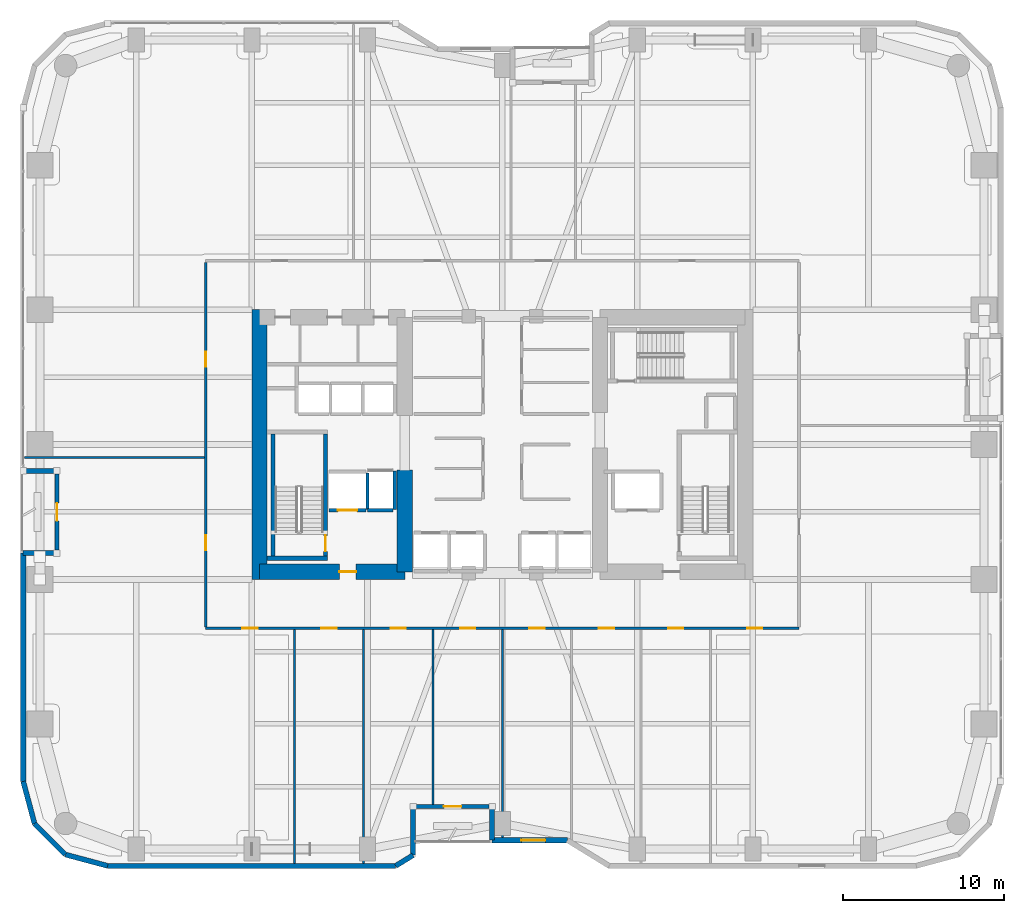
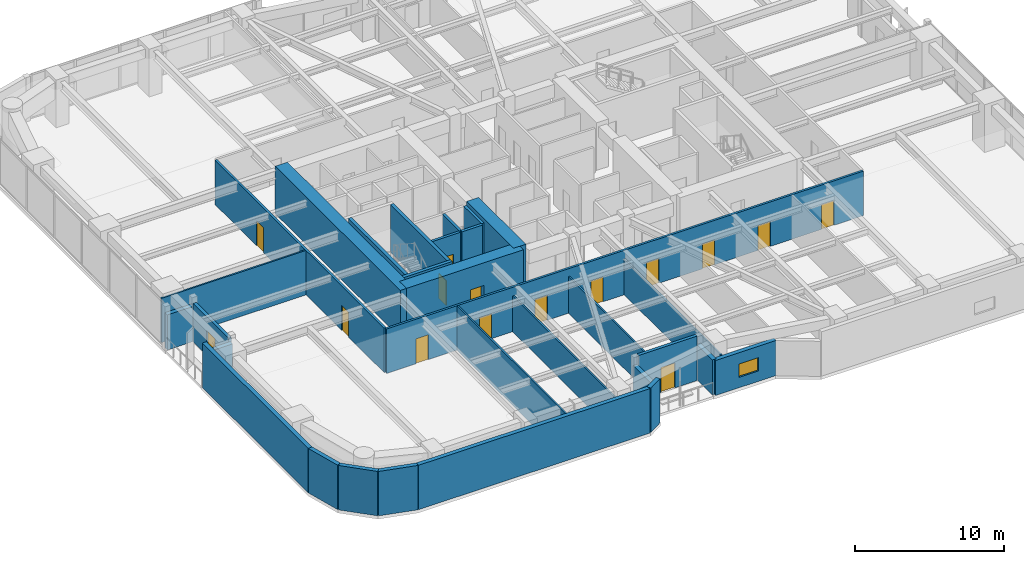
# One storey, part 22 of 28: 30 walls, 15 doors, 1 window, 16 openings.
"""IFC4 building model written with IfcOpenShell, lengths in metres."""

from ifc_helpers import new_model, si_unit, direction, frame, frame_2d, origin, place, context, subcontext, project, spatial, rectangle, extrude, material, layer, layer_set, type_object, element, fill, save


model = new_model("IFC4")

# Units and contexts
model_context = context("Model", 3, precision=1e-05, world=origin(), true_north=direction((0.0, 1.0)))
body_context = subcontext(model_context, "Body", "Model", "MODEL_VIEW")
ifc_project = project(units=[si_unit("LENGTHUNIT", "METRE"), si_unit("AREAUNIT", "SQUARE_METRE"), si_unit("VOLUMEUNIT", "CUBIC_METRE"), si_unit("PLANEANGLEUNIT", "RADIAN"), si_unit("MASSUNIT", "GRAM", prefix="KILO")], contexts=[model_context])

# Site, building, storey
site_placement = place(None, origin())
site = spatial("IfcSite", under=ifc_project, at=site_placement, CompositionType="ELEMENT")
building_placement = place(site_placement, origin())
building = spatial("IfcBuilding", under=site, at=building_placement, Name="Kiyonajd Concourse Tower", CompositionType="ELEMENT")
storey_placement = place(building_placement, frame((0.0, 0.0, 64.5)))
storey = spatial("IfcBuildingStorey", under=building, at=storey_placement, Name="L17", CompositionType="ELEMENT", Elevation=64.5)

# Walls
ifc_material_1 = material(Name="Concrete C80/95", Category="concrete")
ifc_layer_1 = layer(ifc_material_1, 0.949951171875)
ifc_layer_set_1 = layer_set([ifc_layer_1], Name="Concrete C80/95")
wall_type_1 = type_object("IfcWallType", Name="WL-CORE-950", PredefinedType="SHEAR", material=ifc_layer_set_1)
wall_1_placement = place(storey_placement, frame((32.875, 27.60009765625, 0.0), z_axis=(0.0, 0.0, 1.0), x_axis=(0.0, 1.0, 0.0)))
element("IfcWall", 1, at=wall_1_placement, inside=storey, type_object=wall_type_1, Name="L17 West Core Outer Shear Wall", PredefinedType="SHEAR", context=body_context, shape_type="SweptSolid", body=[
    extrude(rectangle(XDim=16.7998046875, YDim=0.949951171875, at=frame_2d((8.39990234375, 0.0))), origin(), (0.0, 0.0, 1.0), 3.89990234375),
])
wall_2_placement = place(storey_placement, frame((41.925048828125, 28.074951171875, 0.0), z_axis=(0.0, 0.0, 1.0), x_axis=(0.0, 1.0, 0.0)))
element("IfcWall", 2, at=wall_2_placement, inside=storey, type_object=wall_type_1, Name="L17 West Core Inner South Shear Wall", PredefinedType="SHEAR", context=body_context, shape_type="SweptSolid", body=[
    extrude(rectangle(XDim=6.324951171875, YDim=0.949951171875, at=frame_2d((3.16259765625, 0.0))), origin(), (0.0, 0.0, 1.0), 3.89990234375),
])

# Wall, opening, door
wall_3_placement = place(storey_placement, frame((32.875, 28.074951171875, 0.0), z_axis=(0.0, 0.0, 1.0), x_axis=(1.0, 0.0, 0.0)))
wall_3 = element("IfcWall", 3, at=wall_3_placement, inside=storey, type_object=wall_type_1, Name="L17 West Core South Shear Wall", PredefinedType="SHEAR", context=body_context, shape_type="SweptSolid", body=[
    extrude(rectangle(XDim=9.050048828125, YDim=0.949951171875, at=frame_2d((4.52490234375, 0.0))), origin(), (0.0, 0.0, 1.0), 3.89990234375),
])
opening_1_placement = place(wall_3_placement, frame((4.97509765625, 0.0, 0.0)))
opening_1 = element("IfcOpeningElement", 4, at=opening_1_placement, cuts=wall_3, Name="Opening DF5", PredefinedType="OPENING", context=body_context, shape_type="SweptSolid", body=[
    extrude(rectangle(XDim=1.050048828125, YDim=2.0400390625, at=frame_2d((0.52490234375, 1.02001953125))), frame((0.0, 0.48486328125, 0.0), z_axis=(0.0, -1.0, 0.0), x_axis=(1.0, 0.0, 0.0)), (0.0, 0.0, 1.0), 0.969970703125),
])
ifc_material_2 = material(Name="Brushed Stainless Steel Cab Assembly", Category="steel")
door_type_1 = type_object("IfcDoorType", Name="DR-FD45-1050", OperationType="NOTDEFINED", PredefinedType="DOOR", material=ifc_material_2)
door_1_placement = place(opening_1_placement, origin())
door_1 = element("IfcDoor", 5, at=door_1_placement, inside=storey, type_object=door_type_1, Name="L17 Firefighting Lift Lobby W Smoke Door", OperationType="SINGLE_SWING_LEFT", OverallHeight=2.0400390625, OverallWidth=1.050048828125, PredefinedType="DOOR", context=body_context, shape_type="SweptSolid", body=[
    extrude(rectangle(XDim=1.050048828125, YDim=2.0400390625, at=frame_2d((0.52490234375, 1.02001953125))), frame((0.0, 0.02490234375, 0.0), z_axis=(0.0, -1.0, 0.0), x_axis=(1.0, 0.0, 0.0)), (0.0, 0.0, 1.0), 0.050048828125),
])
fill(opening_1, door_1)

# Walls
ifc_material_3 = material(Name="Precast concrete C50/60", Category="concrete")
ifc_layer_2 = layer(ifc_material_3, 0.320068359375)
ifc_layer_set_2 = layer_set([ifc_layer_2], Name="Precast concrete C50/60")
wall_type_2 = type_object("IfcWallType", Name="WL-EXT-320", PredefinedType="SOLIDWALL", material=ifc_layer_set_2)
wall_4_placement = place(storey_placement, frame((18.866455078125, 12.3828125, 0.0), z_axis=(0.0, 0.0, 1.0), x_axis=(-0.25869736047, 0.965958423373, 0.0)))
element("IfcWall", 6, at=wall_4_placement, inside=storey, type_object=wall_type_2, Name="L17 Exterior Concrete Frame Wall 00", PredefinedType="SOLIDWALL", context=body_context, shape_type="SweptSolid", body=[
    extrude(rectangle(XDim=2.731201171875, YDim=0.320068359375, at=frame_2d((1.36572265625, 0.0))), origin(), (0.0, 0.0, 1.0), 3.639892578125),
])
wall_5_placement = place(storey_placement, frame((18.159912109375, 15.02099609375, 0.0), z_axis=(0.0, 0.0, 1.0), x_axis=(0.0, 1.0, 0.0)))
element("IfcWall", 7, at=wall_5_placement, inside=storey, type_object=wall_type_2, Name="L17 Exterior Concrete Frame Wall 01", PredefinedType="SOLIDWALL", context=body_context, shape_type="SweptSolid", body=[
    extrude(rectangle(XDim=14.218994140625, YDim=0.320068359375, at=frame_2d((7.109375, 0.0))), origin(), (0.0, 0.0, 1.0), 3.639892578125),
])
for number, where, z_axis, x_axis, name in (
    (8, (18.159912109375, 29.239990234375, 0.0), (0.0, 0.0, 1.0), (1.0, 0.0, 0.0), "L17 Exterior Concrete Frame Wall 02"),
    (9, (20.260009765625, 34.360107421875, 0.0), (0.0, 0.0, 1.0), (-1.0, 0.0, 0.0), "L17 Exterior Concrete Frame Wall 04"),
):
    element("IfcWall", number, at=place(storey_placement, frame(where, z_axis=z_axis, x_axis=x_axis)), inside=storey, type_object=wall_type_2, Name=name, PredefinedType="SOLIDWALL", context=body_context, shape_type="SweptSolid", body=[
        extrude(rectangle(XDim=2.10009765625, YDim=0.320068359375, at=frame_2d((1.050048828125, 0.0))), origin(), (0.0, 0.0, 1.0), 2.875),
    ])

# Wall, opening, window
wall_6_placement = place(storey_placement, frame((52.04541015625, 11.360107421875, 0.0), z_axis=(0.0, 0.0, 1.0), x_axis=(-1.0, 0.0, 0.0)))
wall_6 = element("IfcWall", 10, at=wall_6_placement, inside=storey, type_object=wall_type_2, Name="L17 Exterior Concrete Frame Wall 30", PredefinedType="SOLIDWALL", context=body_context, shape_type="SweptSolid", body=[
    extrude(rectangle(XDim=4.685302734375, YDim=0.320068359375, at=frame_2d((2.3427734375, 0.0))), origin(), (0.0, 0.0, 1.0), 2.875),
])
opening_2_placement = place(wall_6_placement, frame((1.367919921875, 0.0, 0.85009765625)))
opening_2 = element("IfcOpeningElement", 11, at=opening_2_placement, cuts=wall_6, Name="Opening WN2", PredefinedType="OPENING", context=body_context, shape_type="SweptSolid", body=[
    extrude(rectangle(XDim=1.5, YDim=1.10009765625, at=frame_2d((0.75, 0.550048828125))), frame((0.0, 0.169921875, 0.0), z_axis=(0.0, -1.0, 0.0), x_axis=(1.0, 0.0, 0.0)), (0.0, 0.0, 1.0), 0.340087890625),
])
ifc_material_4 = material(Name="Double Low-E Insulated Glass", Category="glass")
window_type = type_object("IfcWindowType", Name="WN-VIS-1500x1100", PartitioningType="SINGLE_PANEL", PredefinedType="WINDOW", material=ifc_material_4)
window_placement = place(opening_2_placement, origin())
window = element("IfcWindow", 12, at=window_placement, inside=storey, type_object=window_type, Name="L17 Modular Facade Vision Window 30", OverallHeight=1.10009765625, OverallWidth=1.5, PartitioningType="SINGLE_PANEL", PredefinedType="WINDOW", context=body_context, shape_type="SweptSolid", body=[
    extrude(rectangle(XDim=1.5, YDim=1.10009765625, at=frame_2d((0.75, 0.550048828125))), frame((0.0, 0.030029296875, 0.0), z_axis=(0.0, -1.0, 0.0), x_axis=(1.0, 0.0, 0.0)), (0.0, 0.0, 1.0), 0.06005859375),
])
fill(opening_2, window)

# Walls
wall_7_placement = place(storey_placement, frame((47.360107421875, 11.360107421875, 0.0), z_axis=(0.0, 0.0, 1.0), x_axis=(0.0, 1.0, 0.0)))
element("IfcWall", 13, at=wall_7_placement, inside=storey, type_object=wall_type_2, Name="L17 Exterior Concrete Frame Wall 31", PredefinedType="SOLIDWALL", context=body_context, shape_type="SweptSolid", body=[
    extrude(rectangle(XDim=2.099853515625, YDim=0.320068359375, at=frame_2d((1.0498046875, 0.0))), origin(), (0.0, 0.0, 1.0), 2.875),
])
wall_8_placement = place(storey_placement, frame((42.43994140625, 13.4599609375, 0.0), z_axis=(0.0, 0.0, 1.0), x_axis=(0.0, -1.0, 0.0)))
element("IfcWall", 14, at=wall_8_placement, inside=storey, type_object=wall_type_2, Name="L17 Exterior Concrete Frame Wall 33", PredefinedType="SOLIDWALL", context=body_context, shape_type="SweptSolid", body=[
    extrude(rectangle(XDim=3.032470703125, YDim=0.320068359375, at=frame_2d((1.51611328125, 0.0))), origin(), (0.0, 0.0, 1.0), 2.875),
])
wall_9_placement = place(storey_placement, frame((42.43994140625, 10.427490234375, 0.0), z_axis=(0.0, 0.0, 1.0), x_axis=(-0.851776724646, -0.523904964045, 0.0)))
element("IfcWall", 15, at=wall_9_placement, inside=storey, type_object=wall_type_2, Name="L17 Exterior Concrete Frame Wall 34", PredefinedType="SOLIDWALL", context=body_context, shape_type="SweptSolid", body=[
    extrude(rectangle(XDim=1.274169921875, YDim=0.320068359375, at=frame_2d((0.63720703125, 0.0))), origin(), (0.0, 0.0, 1.0), 3.639892578125),
])
wall_10_placement = place(storey_placement, frame((41.354736328125, 9.760009765625, 0.0), z_axis=(0.0, 0.0, 1.0), x_axis=(-1.0, 0.0, 0.0)))
element("IfcWall", 16, at=wall_10_placement, inside=storey, type_object=wall_type_2, Name="L17 Exterior Concrete Frame Wall 35", PredefinedType="SOLIDWALL", context=body_context, shape_type="SweptSolid", body=[
    extrude(rectangle(XDim=17.93359375, YDim=0.320068359375, at=frame_2d((8.966796875, 0.0))), origin(), (0.0, 0.0, 1.0), 3.639892578125),
])
wall_11_placement = place(storey_placement, frame((23.421142578125, 9.760009765625, 0.0), z_axis=(0.0, 0.0, 1.0), x_axis=(-0.965964405026, 0.25867502435, 0.0)))
element("IfcWall", 17, at=wall_11_placement, inside=storey, type_object=wall_type_2, Name="L17 Exterior Concrete Frame Wall 36", PredefinedType="SOLIDWALL", context=body_context, shape_type="SweptSolid", body=[
    extrude(rectangle(XDim=2.7314453125, YDim=0.320068359375, at=frame_2d((1.36572265625, 0.0))), origin(), (0.0, 0.0, 1.0), 3.639892578125),
])
wall_12_placement = place(storey_placement, frame((20.78271484375, 10.466552734375, 0.0), z_axis=(0.0, 0.0, 1.0), x_axis=(-0.707106781187, 0.707106781187, 0.0)))
element("IfcWall", 18, at=wall_12_placement, inside=storey, type_object=wall_type_2, Name="L17 Exterior Concrete Frame Wall 37", PredefinedType="SOLIDWALL", context=body_context, shape_type="SweptSolid", body=[
    extrude(rectangle(XDim=2.7099609375, YDim=0.320068359375, at=frame_2d((1.35498046875, 0.0))), origin(), (0.0, 0.0, 1.0), 3.639892578125),
])

# Wall, opening, door
ifc_layer_3 = layer(ifc_material_3, 0.239990234375)
ifc_layer_set_3 = layer_set([ifc_layer_3], Name="Precast concrete C50/60")
wall_type_3 = type_object("IfcWallType", Name="WL-LOG-240", PredefinedType="SOLIDWALL", material=ifc_layer_set_3)
wall_13_placement = place(storey_placement, frame((20.260009765625, 29.43505859375, 0.0), z_axis=(0.0, 0.0, 1.0), x_axis=(0.0, 1.0, 0.0)))
wall_13 = element("IfcWall", 19, at=wall_13_placement, inside=storey, type_object=wall_type_3, Name="L17 Recessed Loggia Thermal Wall LOG-W", PredefinedType="SOLIDWALL", context=body_context, shape_type="SweptSolid", body=[
    extrude(rectangle(XDim=4.72998046875, YDim=0.239990234375, at=frame_2d((2.364990234375, 0.0))), origin(), (0.0, 0.0, 1.0), 3.162109375),
])
opening_3_placement = place(wall_13_placement, frame((1.81494140625, 0.0, 0.0)))
opening_3 = element("IfcOpeningElement", 20, at=opening_3_placement, cuts=wall_13, Name="Opening DL2", PredefinedType="OPENING", context=body_context, shape_type="SweptSolid", body=[
    extrude(rectangle(XDim=1.10009765625, YDim=2.0400390625, at=frame_2d((0.550048828125, 1.02001953125))), frame((0.0, 0.1298828125, 0.0), z_axis=(0.0, -1.0, 0.0), x_axis=(1.0, 0.0, 0.0)), (0.0, 0.0, 1.0), 0.260009765625),
])
ifc_material_5 = material(Name="Thermally Broken Anodised Aluminium", Category="aluminium")
door_type_2 = type_object("IfcDoorType", Name="DR-LOG-1100", OperationType="NOTDEFINED", PredefinedType="DOOR", material=ifc_material_5)
door_2_placement = place(opening_3_placement, origin())
door_2 = element("IfcDoor", 21, at=door_2_placement, inside=storey, type_object=door_type_2, Name="L17 Engawa Loggia Access Door LOG-W", OperationType="SINGLE_SWING_LEFT", OverallHeight=2.0400390625, OverallWidth=1.10009765625, PredefinedType="DOOR", context=body_context, shape_type="SweptSolid", body=[
    extrude(rectangle(XDim=1.10009765625, YDim=2.0400390625, at=frame_2d((0.550048828125, 1.02001953125))), frame((0.0, 0.02490234375, 0.0), z_axis=(0.0, -1.0, 0.0), x_axis=(1.0, 0.0, 0.0)), (0.0, 0.0, 1.0), 0.050048828125),
])
fill(opening_3, door_2)

wall_14_placement = place(storey_placement, frame((47.1650390625, 13.4599609375, 0.0), z_axis=(0.0, 0.0, 1.0), x_axis=(-1.0, 0.0, 0.0)))
wall_14 = element("IfcWall", 22, at=wall_14_placement, inside=storey, type_object=wall_type_3, Name="L17 Recessed Loggia Thermal Wall LOG-S", PredefinedType="SOLIDWALL", context=body_context, shape_type="SweptSolid", body=[
    extrude(rectangle(XDim=4.530029296875, YDim=0.239990234375, at=frame_2d((2.26513671875, 0.0))), origin(), (0.0, 0.0, 1.0), 3.639892578125),
])
opening_4_placement = place(wall_14_placement, frame((1.715087890625, 0.0, 0.0)))
opening_4 = element("IfcOpeningElement", 23, at=opening_4_placement, cuts=wall_14, Name="Opening DL2", PredefinedType="OPENING", context=body_context, shape_type="SweptSolid", body=[
    extrude(rectangle(XDim=1.10009765625, YDim=2.0400390625, at=frame_2d((0.550048828125, 1.02001953125))), frame((0.0, 0.1298828125, 0.0), z_axis=(0.0, -1.0, 0.0), x_axis=(1.0, 0.0, 0.0)), (0.0, 0.0, 1.0), 0.260009765625),
])
door_3_placement = place(opening_4_placement, origin())
door_3 = element("IfcDoor", 24, at=door_3_placement, inside=storey, type_object=door_type_2, Name="L17 Engawa Loggia Access Door LOG-S", OperationType="SINGLE_SWING_RIGHT", OverallHeight=2.0400390625, OverallWidth=1.10009765625, PredefinedType="DOOR", context=body_context, shape_type="SweptSolid", body=[
    extrude(rectangle(XDim=1.10009765625, YDim=2.0400390625, at=frame_2d((0.550048828125, 1.02001953125))), frame((0.0, 0.02490234375, 0.0), z_axis=(0.0, -1.0, 0.0), x_axis=(1.0, 0.0, 0.0)), (0.0, 0.0, 1.0), 0.050048828125),
])
fill(opening_4, door_3)

# Walls
ifc_material_6 = material(Name="Gypsum Board on Cold-Formed Steel Stud", Category="steel")
ifc_layer_4 = layer(ifc_material_6, 0.125)
ifc_layer_set_4 = layer_set([ifc_layer_4], Name="Gypsum Board on Cold-Formed Steel Stud")
wall_type_4 = type_object("IfcWallType", Name="WL-PART-125", PredefinedType="PARTITIONING", material=ifc_layer_set_4)
wall_15_placement = place(storey_placement, frame((35.0400390625, 9.9150390625, 0.0), z_axis=(0.0, 0.0, 1.0), x_axis=(0.0, 1.0, 0.0)))
element("IfcWall", 25, at=wall_15_placement, inside=storey, type_object=wall_type_4, Name="L17 Interior Partition Wall", PredefinedType="PARTITIONING", context=body_context, shape_type="SweptSolid", body=[
    extrude(rectangle(XDim=14.557861328125, YDim=0.125, at=frame_2d((7.27880859375, 0.0))), origin(), (0.0, 0.0, 1.0), 3.639892578125),
])
wall_16_placement = place(storey_placement, frame((39.360107421875, 9.9150390625, 0.0), z_axis=(0.0, 0.0, 1.0), x_axis=(0.0, 1.0, 0.0)))
element("IfcWall", 26, at=wall_16_placement, inside=storey, type_object=wall_type_4, Name="L17 Interior Partition Wall", PredefinedType="PARTITIONING", context=body_context, shape_type="SweptSolid", body=[
    extrude(rectangle(XDim=14.557861328125, YDim=0.125, at=frame_2d((7.27880859375, 0.0))), origin(), (0.0, 0.0, 1.0), 2.929931640625),
])
wall_17_placement = place(storey_placement, frame((43.679931640625, 13.574951171875, 0.0), z_axis=(0.0, 0.0, 1.0), x_axis=(0.0, 1.0, 0.0)))
element("IfcWall", 27, at=wall_17_placement, inside=storey, type_object=wall_type_4, Name="L17 Interior Partition Wall", PredefinedType="PARTITIONING", context=body_context, shape_type="SweptSolid", body=[
    extrude(rectangle(XDim=10.89794921875, YDim=0.125, at=frame_2d((5.448974609375, 0.0))), origin(), (0.0, 0.0, 1.0), 3.0029296875),
])
wall_18_placement = place(storey_placement, frame((48.0, 11.514892578125, 0.0), z_axis=(0.0, 0.0, 1.0), x_axis=(0.0, 1.0, 0.0)))
element("IfcWall", 28, at=wall_18_placement, inside=storey, type_object=wall_type_4, Name="L17 Interior Partition Wall", PredefinedType="PARTITIONING", context=body_context, shape_type="SweptSolid", body=[
    extrude(rectangle(XDim=12.9580078125, YDim=0.125, at=frame_2d((6.47900390625, 0.0))), origin(), (0.0, 0.0, 1.0), 2.929931640625),
])
wall_19_placement = place(storey_placement, frame((18.2451171875, 35.199951171875, 0.0), z_axis=(0.0, 0.0, 1.0), x_axis=(1.0, 0.0, 0.0)))
element("IfcWall", 29, at=wall_19_placement, inside=storey, type_object=wall_type_4, Name="L17 Interior Partition Wall", PredefinedType="PARTITIONING", context=body_context, shape_type="SweptSolid", body=[
    extrude(rectangle(XDim=11.19287109375, YDim=0.125, at=frame_2d((5.596435546875, 0.0))), origin(), (0.0, 0.0, 1.0), 3.639892578125),
])

# Wall, opening, door
ifc_layer_5 = layer(ifc_material_6, 0.2099609375)
ifc_layer_set_5 = layer_set([ifc_layer_5], Name="Gypsum Board on Cold-Formed Steel Stud")
wall_type_5 = type_object("IfcWallType", Name="WL-SHAFT-210", PredefinedType="PARTITIONING", material=ifc_layer_set_5)
wall_20_placement = place(storey_placement, frame((37.199951171875, 31.89990234375, 0.0), z_axis=(0.0, 0.0, 1.0), x_axis=(1.0, 0.0, 0.0)))
wall_20 = element("IfcWall", 30, at=wall_20_placement, inside=storey, type_object=wall_type_5, Name="L17 Shaft Enclosure Wall", PredefinedType="PARTITIONING", context=body_context, shape_type="SweptSolid", body=[
    extrude(rectangle(XDim=2.300048828125, YDim=0.2099609375, at=frame_2d((1.14990234375, 0.0))), origin(), (0.0, 0.0, 1.0), 3.639892578125),
])
opening_5_placement = place(wall_20_placement, frame((0.550048828125, 0.0, 0.0)))
opening_5 = element("IfcOpeningElement", 31, at=opening_5_placement, cuts=wall_20, Name="Opening LD2", PredefinedType="OPENING", context=body_context, shape_type="SweptSolid", body=[
    extrude(rectangle(XDim=1.199951171875, YDim=2.0400390625, at=frame_2d((0.60009765625, 1.02001953125))), frame((0.0, 0.114990234375, 0.0), z_axis=(0.0, -1.0, 0.0), x_axis=(1.0, 0.0, 0.0)), (0.0, 0.0, 1.0), 0.22998046875),
])
door_type_3 = type_object("IfcDoorType", Name="DR-LD-1200", OperationType="DOUBLE_DOOR_SLIDING", PredefinedType="DOOR", material=ifc_material_2)
door_4_placement = place(opening_5_placement, origin())
door_4 = element("IfcDoor", 32, at=door_4_placement, inside=storey, type_object=door_type_3, Name="L17 Lift FFL1 Sliding Landing Door", OperationType="DOUBLE_DOOR_SLIDING", OverallHeight=2.0400390625, OverallWidth=1.199951171875, PredefinedType="DOOR", context=body_context, shape_type="SweptSolid", body=[
    extrude(rectangle(XDim=1.199951171875, YDim=2.0400390625, at=frame_2d((0.60009765625, 1.02001953125))), frame((0.0, 0.02490234375, 0.0), z_axis=(0.0, -1.0, 0.0), x_axis=(1.0, 0.0, 0.0)), (0.0, 0.0, 1.0), 0.050048828125),
])
fill(opening_5, door_4)

# Walls
wall_21_placement = place(storey_placement, frame((39.60009765625, 31.9599609375, 0.0), z_axis=(0.0, 0.0, 1.0), x_axis=(0.0, 1.0, 0.0)))
element("IfcWall", 33, at=wall_21_placement, inside=storey, type_object=wall_type_5, Name="L17 Shaft Enclosure Wall", PredefinedType="PARTITIONING", context=body_context, shape_type="SweptSolid", body=[
    extrude(rectangle(XDim=2.280029296875, YDim=0.2099609375, at=frame_2d((1.14013671875, 0.0))), origin(), (0.0, 0.0, 1.0), 3.639892578125),
])
wall_22_placement = place(storey_placement, frame((39.60009765625, 31.89990234375, 0.0), z_axis=(0.0, 0.0, 1.0), x_axis=(1.0, 0.0, 0.0)))
element("IfcWall", 34, at=wall_22_placement, inside=storey, type_object=wall_type_5, Name="L17 Shaft Enclosure Wall", PredefinedType="PARTITIONING", context=body_context, shape_type="SweptSolid", body=[
    extrude(rectangle(XDim=1.599853515625, YDim=0.2099609375, at=frame_2d((0.7998046875, 0.0))), origin(), (0.0, 0.0, 1.0), 3.639892578125),
])
wall_23_placement = place(storey_placement, frame((41.300048828125, 31.9599609375, 0.0), z_axis=(0.0, 0.0, 1.0), x_axis=(0.0, 1.0, 0.0)))
element("IfcWall", 35, at=wall_23_placement, inside=storey, type_object=wall_type_5, Name="L17 Shaft Enclosure Wall", PredefinedType="PARTITIONING", context=body_context, shape_type="SweptSolid", body=[
    extrude(rectangle(XDim=2.380126953125, YDim=0.2099609375, at=frame_2d((1.18994140625, 0.0))), origin(), (0.0, 0.0, 1.0), 3.639892578125),
])

# Wall, openings, doors
ifc_layer_6 = layer(ifc_material_6, 0.169921875)
ifc_layer_set_6 = layer_set([ifc_layer_6], Name="Gypsum Board on Cold-Formed Steel Stud")
wall_type_6 = type_object("IfcWallType", Name="WL-SMK-170", PredefinedType="PARTITIONING", material=ifc_layer_set_6)
wall_24_placement = place(storey_placement, frame((29.52490234375, 24.56005859375, 0.0), z_axis=(0.0, 0.0, 1.0), x_axis=(1.0, 0.0, 0.0)))
wall_24 = element("IfcWall", 36, at=wall_24_placement, inside=storey, type_object=wall_type_6, Name="L17 Interior Partition Wall", PredefinedType="PARTITIONING", context=body_context, shape_type="SweptSolid", body=[
    extrude(rectangle(XDim=36.9501953125, YDim=0.169921875, at=frame_2d((18.47509765625, 0.0))), origin(), (0.0, 0.0, 1.0), 3.639892578125),
])
opening_6_placement = place(wall_24_placement, frame((2.282958984375, 0.0, 0.0)))
opening_6 = element("IfcOpeningElement", 37, at=opening_6_placement, cuts=wall_24, Name="Opening DI1", PredefinedType="OPENING", context=body_context, shape_type="SweptSolid", body=[
    extrude(rectangle(XDim=0.949951171875, YDim=2.0400390625, at=frame_2d((0.47509765625, 1.02001953125))), frame((0.0, 0.094970703125, 0.0), z_axis=(0.0, -1.0, 0.0), x_axis=(1.0, 0.0, 0.0)), (0.0, 0.0, 1.0), 0.18994140625),
])
opening_7_placement = place(wall_24_placement, frame((7.199951171875, 0.0, 0.0)))
opening_7 = element("IfcOpeningElement", 38, at=opening_7_placement, cuts=wall_24, Name="Opening DI1", PredefinedType="OPENING", context=body_context, shape_type="SweptSolid", body=[
    extrude(rectangle(XDim=0.949951171875, YDim=2.0400390625, at=frame_2d((0.47509765625, 1.02001953125))), frame((0.0, 0.094970703125, 0.0), z_axis=(0.0, -1.0, 0.0), x_axis=(1.0, 0.0, 0.0)), (0.0, 0.0, 1.0), 0.18994140625),
])
opening_8_placement = place(wall_24_placement, frame((11.52001953125, 0.0, 0.0)))
opening_8 = element("IfcOpeningElement", 39, at=opening_8_placement, cuts=wall_24, Name="Opening DI1", PredefinedType="OPENING", context=body_context, shape_type="SweptSolid", body=[
    extrude(rectangle(XDim=0.949951171875, YDim=2.0400390625, at=frame_2d((0.47509765625, 1.02001953125))), frame((0.0, 0.094970703125, 0.0), z_axis=(0.0, -1.0, 0.0), x_axis=(1.0, 0.0, 0.0)), (0.0, 0.0, 1.0), 0.18994140625),
])
opening_9_placement = place(wall_24_placement, frame((15.840087890625, 0.0, 0.0)))
opening_9 = element("IfcOpeningElement", 40, at=opening_9_placement, cuts=wall_24, Name="Opening DI1", PredefinedType="OPENING", context=body_context, shape_type="SweptSolid", body=[
    extrude(rectangle(XDim=0.949951171875, YDim=2.0400390625, at=frame_2d((0.47509765625, 1.02001953125))), frame((0.0, 0.094970703125, 0.0), z_axis=(0.0, -1.0, 0.0), x_axis=(1.0, 0.0, 0.0)), (0.0, 0.0, 1.0), 0.18994140625),
])
opening_10_placement = place(wall_24_placement, frame((20.159912109375, 0.0, 0.0)))
opening_10 = element("IfcOpeningElement", 41, at=opening_10_placement, cuts=wall_24, Name="Opening DI1", PredefinedType="OPENING", context=body_context, shape_type="SweptSolid", body=[
    extrude(rectangle(XDim=0.949951171875, YDim=2.0400390625, at=frame_2d((0.47509765625, 1.02001953125))), frame((0.0, 0.094970703125, 0.0), z_axis=(0.0, -1.0, 0.0), x_axis=(1.0, 0.0, 0.0)), (0.0, 0.0, 1.0), 0.18994140625),
])
opening_11_placement = place(wall_24_placement, frame((24.47998046875, 0.0, 0.0)))
opening_11 = element("IfcOpeningElement", 42, at=opening_11_placement, cuts=wall_24, Name="Opening DI1", PredefinedType="OPENING", context=body_context, shape_type="SweptSolid", body=[
    extrude(rectangle(XDim=0.949951171875, YDim=2.0400390625, at=frame_2d((0.47509765625, 1.02001953125))), frame((0.0, 0.094970703125, 0.0), z_axis=(0.0, -1.0, 0.0), x_axis=(1.0, 0.0, 0.0)), (0.0, 0.0, 1.0), 0.18994140625),
])
opening_12_placement = place(wall_24_placement, frame((28.800048828125, 0.0, 0.0)))
opening_12 = element("IfcOpeningElement", 43, at=opening_12_placement, cuts=wall_24, Name="Opening DI1", PredefinedType="OPENING", context=body_context, shape_type="SweptSolid", body=[
    extrude(rectangle(XDim=0.949951171875, YDim=2.0400390625, at=frame_2d((0.47509765625, 1.02001953125))), frame((0.0, 0.094970703125, 0.0), z_axis=(0.0, -1.0, 0.0), x_axis=(1.0, 0.0, 0.0)), (0.0, 0.0, 1.0), 0.18994140625),
])
opening_13_placement = place(wall_24_placement, frame((33.718017578125, 0.0, 0.0)))
opening_13 = element("IfcOpeningElement", 44, at=opening_13_placement, cuts=wall_24, Name="Opening DI1", PredefinedType="OPENING", context=body_context, shape_type="SweptSolid", body=[
    extrude(rectangle(XDim=0.949951171875, YDim=2.0400390625, at=frame_2d((0.47509765625, 1.02001953125))), frame((0.0, 0.094970703125, 0.0), z_axis=(0.0, -1.0, 0.0), x_axis=(1.0, 0.0, 0.0)), (0.0, 0.0, 1.0), 0.18994140625),
])
ifc_material_7 = material(Name="Natural Oak Acoustic Timber Veneer", Category="wood")
door_type_4 = type_object("IfcDoorType", Name="DR-INT-950", OperationType="NOTDEFINED", PredefinedType="DOOR", material=ifc_material_7)
door_5_placement = place(opening_6_placement, origin())
door_5 = element("IfcDoor", 45, at=door_5_placement, inside=storey, type_object=door_type_4, Name="L17 Interior Door", OperationType="SINGLE_SWING_LEFT", OverallHeight=2.0400390625, OverallWidth=0.949951171875, PredefinedType="DOOR", context=body_context, shape_type="SweptSolid", body=[
    extrude(rectangle(XDim=0.949951171875, YDim=2.0400390625, at=frame_2d((0.47509765625, 1.02001953125))), frame((0.0, 0.02490234375, 0.0), z_axis=(0.0, -1.0, 0.0), x_axis=(1.0, 0.0, 0.0)), (0.0, 0.0, 1.0), 0.050048828125),
])
fill(opening_6, door_5)
door_6_placement = place(opening_7_placement, origin())
door_6 = element("IfcDoor", 46, at=door_6_placement, inside=storey, type_object=door_type_4, Name="L17 Interior Door", OperationType="SINGLE_SWING_RIGHT", OverallHeight=2.0400390625, OverallWidth=0.949951171875, PredefinedType="DOOR", context=body_context, shape_type="SweptSolid", body=[
    extrude(rectangle(XDim=0.949951171875, YDim=2.0400390625, at=frame_2d((0.47509765625, 1.02001953125))), frame((0.0, 0.02490234375, 0.0), z_axis=(0.0, -1.0, 0.0), x_axis=(1.0, 0.0, 0.0)), (0.0, 0.0, 1.0), 0.050048828125),
])
fill(opening_7, door_6)
door_7_placement = place(opening_8_placement, origin())
door_7 = element("IfcDoor", 47, at=door_7_placement, inside=storey, type_object=door_type_4, Name="L17 Interior Door", OperationType="SINGLE_SWING_LEFT", OverallHeight=2.0400390625, OverallWidth=0.949951171875, PredefinedType="DOOR", context=body_context, shape_type="SweptSolid", body=[
    extrude(rectangle(XDim=0.949951171875, YDim=2.0400390625, at=frame_2d((0.47509765625, 1.02001953125))), frame((0.0, 0.02490234375, 0.0), z_axis=(0.0, -1.0, 0.0), x_axis=(1.0, 0.0, 0.0)), (0.0, 0.0, 1.0), 0.050048828125),
])
fill(opening_8, door_7)
door_8_placement = place(opening_9_placement, origin())
door_8 = element("IfcDoor", 48, at=door_8_placement, inside=storey, type_object=door_type_4, Name="L17 Interior Door", OperationType="SINGLE_SWING_RIGHT", OverallHeight=2.0400390625, OverallWidth=0.949951171875, PredefinedType="DOOR", context=body_context, shape_type="SweptSolid", body=[
    extrude(rectangle(XDim=0.949951171875, YDim=2.0400390625, at=frame_2d((0.47509765625, 1.02001953125))), frame((0.0, 0.02490234375, 0.0), z_axis=(0.0, -1.0, 0.0), x_axis=(1.0, 0.0, 0.0)), (0.0, 0.0, 1.0), 0.050048828125),
])
fill(opening_9, door_8)
door_9_placement = place(opening_10_placement, origin())
door_9 = element("IfcDoor", 49, at=door_9_placement, inside=storey, type_object=door_type_4, Name="L17 Interior Door", OperationType="SINGLE_SWING_LEFT", OverallHeight=2.0400390625, OverallWidth=0.949951171875, PredefinedType="DOOR", context=body_context, shape_type="SweptSolid", body=[
    extrude(rectangle(XDim=0.949951171875, YDim=2.0400390625, at=frame_2d((0.47509765625, 1.02001953125))), frame((0.0, 0.02490234375, 0.0), z_axis=(0.0, -1.0, 0.0), x_axis=(1.0, 0.0, 0.0)), (0.0, 0.0, 1.0), 0.050048828125),
])
fill(opening_10, door_9)
door_10_placement = place(opening_11_placement, origin())
door_10 = element("IfcDoor", 50, at=door_10_placement, inside=storey, type_object=door_type_4, Name="L17 Interior Door", OperationType="SINGLE_SWING_RIGHT", OverallHeight=2.0400390625, OverallWidth=0.949951171875, PredefinedType="DOOR", context=body_context, shape_type="SweptSolid", body=[
    extrude(rectangle(XDim=0.949951171875, YDim=2.0400390625, at=frame_2d((0.47509765625, 1.02001953125))), frame((0.0, 0.02490234375, 0.0), z_axis=(0.0, -1.0, 0.0), x_axis=(1.0, 0.0, 0.0)), (0.0, 0.0, 1.0), 0.050048828125),
])
fill(opening_11, door_10)
door_11_placement = place(opening_12_placement, origin())
door_11 = element("IfcDoor", 51, at=door_11_placement, inside=storey, type_object=door_type_4, Name="L17 Interior Door", OperationType="SINGLE_SWING_LEFT", OverallHeight=2.0400390625, OverallWidth=0.949951171875, PredefinedType="DOOR", context=body_context, shape_type="SweptSolid", body=[
    extrude(rectangle(XDim=0.949951171875, YDim=2.0400390625, at=frame_2d((0.47509765625, 1.02001953125))), frame((0.0, 0.02490234375, 0.0), z_axis=(0.0, -1.0, 0.0), x_axis=(1.0, 0.0, 0.0)), (0.0, 0.0, 1.0), 0.050048828125),
])
fill(opening_12, door_11)
door_12_placement = place(opening_13_placement, origin())
door_12 = element("IfcDoor", 52, at=door_12_placement, inside=storey, type_object=door_type_4, Name="L17 Interior Door", OperationType="SINGLE_SWING_RIGHT", OverallHeight=2.0400390625, OverallWidth=0.949951171875, PredefinedType="DOOR", context=body_context, shape_type="SweptSolid", body=[
    extrude(rectangle(XDim=0.949951171875, YDim=2.0400390625, at=frame_2d((0.47509765625, 1.02001953125))), frame((0.0, 0.02490234375, 0.0), z_axis=(0.0, -1.0, 0.0), x_axis=(1.0, 0.0, 0.0)), (0.0, 0.0, 1.0), 0.050048828125),
])
fill(opening_13, door_12)

wall_25_placement = place(storey_placement, frame((29.52490234375, 24.64697265625, 0.0), z_axis=(0.0, 0.0, 1.0), x_axis=(0.0, 1.0, 0.0)))
wall_25 = element("IfcWall", 53, at=wall_25_placement, inside=storey, type_object=wall_type_6, Name="L17 Interior Partition Wall", PredefinedType="PARTITIONING", context=body_context, shape_type="SweptSolid", body=[
    extrude(rectangle(XDim=22.7060546875, YDim=0.169921875, at=frame_2d((11.35302734375, 0.0))), origin(), (0.0, 0.0, 1.0), 3.639892578125),
])
opening_14_placement = place(wall_25_placement, frame((4.758056640625, 0.0, 0.0)))
opening_14 = element("IfcOpeningElement", 54, at=opening_14_placement, cuts=wall_25, Name="Opening DI1", PredefinedType="OPENING", context=body_context, shape_type="SweptSolid", body=[
    extrude(rectangle(XDim=0.949951171875, YDim=2.0400390625, at=frame_2d((0.47509765625, 1.02001953125))), frame((0.0, 0.094970703125, 0.0), z_axis=(0.0, -1.0, 0.0), x_axis=(1.0, 0.0, 0.0)), (0.0, 0.0, 1.0), 0.18994140625),
])
opening_15_placement = place(wall_25_placement, frame((16.197998046875, 0.0, 0.0)))
opening_15 = element("IfcOpeningElement", 55, at=opening_15_placement, cuts=wall_25, Name="Opening DI1", PredefinedType="OPENING", context=body_context, shape_type="SweptSolid", body=[
    extrude(rectangle(XDim=0.949951171875, YDim=2.0400390625, at=frame_2d((0.47509765625, 1.02001953125))), frame((0.0, 0.094970703125, 0.0), z_axis=(0.0, -1.0, 0.0), x_axis=(1.0, 0.0, 0.0)), (0.0, 0.0, 1.0), 0.18994140625),
])
door_13_placement = place(opening_14_placement, origin())
door_13 = element("IfcDoor", 56, at=door_13_placement, inside=storey, type_object=door_type_4, Name="L17 Interior Door", OperationType="SINGLE_SWING_LEFT", OverallHeight=2.0400390625, OverallWidth=0.949951171875, PredefinedType="DOOR", context=body_context, shape_type="SweptSolid", body=[
    extrude(rectangle(XDim=0.949951171875, YDim=2.0400390625, at=frame_2d((0.47509765625, 1.02001953125))), frame((0.0, 0.02490234375, 0.0), z_axis=(0.0, -1.0, 0.0), x_axis=(1.0, 0.0, 0.0)), (0.0, 0.0, 1.0), 0.050048828125),
])
fill(opening_14, door_13)
door_14_placement = place(opening_15_placement, origin())
door_14 = element("IfcDoor", 57, at=door_14_placement, inside=storey, type_object=door_type_4, Name="L17 Interior Door", OperationType="SINGLE_SWING_RIGHT", OverallHeight=2.0400390625, OverallWidth=0.949951171875, PredefinedType="DOOR", context=body_context, shape_type="SweptSolid", body=[
    extrude(rectangle(XDim=0.949951171875, YDim=2.0400390625, at=frame_2d((0.47509765625, 1.02001953125))), frame((0.0, 0.02490234375, 0.0), z_axis=(0.0, -1.0, 0.0), x_axis=(1.0, 0.0, 0.0)), (0.0, 0.0, 1.0), 0.050048828125),
])
fill(opening_15, door_14)

# Walls
ifc_material_8 = material(Name="Concrete C50/60", Category="concrete")
ifc_layer_7 = layer(ifc_material_8, 0.260009765625)
ifc_layer_set_7 = layer_set([ifc_layer_7], Name="Concrete C50/60")
wall_type_7 = type_object("IfcWallType", Name="WL-STAIR-260", PredefinedType="SHEAR", material=ifc_layer_set_7)
wall_26_placement = place(storey_placement, frame((33.35009765625, 28.919921875, 0.0), z_axis=(0.0, 0.0, 1.0), x_axis=(1.0, 0.0, 0.0)))
element("IfcWall", 58, at=wall_26_placement, inside=storey, type_object=wall_type_7, Name="L17 Stair ST1 Structural South Wall", PredefinedType="SHEAR", context=body_context, shape_type="SweptSolid", body=[
    extrude(rectangle(XDim=3.760009765625, YDim=0.260009765625, at=frame_2d((1.8798828125, 0.0))), origin(), (0.0, 0.0, 1.0), 3.89990234375),
])
wall_27_placement = place(storey_placement, frame((33.719970703125, 29.050048828125, 0.0), z_axis=(0.0, 0.0, 1.0), x_axis=(0.0, 1.0, 0.0)))
element("IfcWall", 59, at=wall_27_placement, inside=storey, type_object=wall_type_7, Name="L17 Stair ST1 Structural West Wall", PredefinedType="SHEAR", context=body_context, shape_type="SweptSolid", body=[
    extrude(rectangle(XDim=7.599853515625, YDim=0.260009765625, at=frame_2d((3.7998046875, 0.0))), origin(), (0.0, 0.0, 1.0), 3.89990234375),
])

# Wall, opening, door
wall_28_placement = place(storey_placement, frame((36.97998046875, 29.050048828125, 0.0), z_axis=(0.0, 0.0, 1.0), x_axis=(0.0, 1.0, 0.0)))
wall_28 = element("IfcWall", 60, at=wall_28_placement, inside=storey, type_object=wall_type_7, Name="L17 Stair ST1 Structural East Wall", PredefinedType="SHEAR", context=body_context, shape_type="SweptSolid", body=[
    extrude(rectangle(XDim=7.599853515625, YDim=0.260009765625, at=frame_2d((3.7998046875, 0.0))), origin(), (0.0, 0.0, 1.0), 3.89990234375),
])
opening_16_placement = place(wall_28_placement, frame((0.300048828125, 0.0, 0.0)))
opening_16 = element("IfcOpeningElement", 61, at=opening_16_placement, cuts=wall_28, Name="Opening DF1", PredefinedType="OPENING", context=body_context, shape_type="SweptSolid", body=[
    extrude(rectangle(XDim=1.0, YDim=2.0400390625, at=frame_2d((0.5, 1.02001953125))), frame((0.0, 0.139892578125, 0.0), z_axis=(0.0, -1.0, 0.0), x_axis=(1.0, 0.0, 0.0)), (0.0, 0.0, 1.0), 0.280029296875),
])
door_type_5 = type_object("IfcDoorType", Name="DR-FD90-1000", OperationType="NOTDEFINED", PredefinedType="DOOR", material=ifc_material_2)
door_15_placement = place(opening_16_placement, origin())
door_15 = element("IfcDoor", 62, at=door_15_placement, inside=storey, type_object=door_type_5, Name="L17 Stair ST1 FSAE Door", OperationType="SINGLE_SWING_LEFT", OverallHeight=2.0400390625, OverallWidth=1.0, PredefinedType="DOOR", context=body_context, shape_type="SweptSolid", body=[
    extrude(rectangle(XDim=1.0, YDim=2.0400390625, at=frame_2d((0.5, 1.02001953125))), frame((0.0, 0.02490234375, 0.0), z_axis=(0.0, -1.0, 0.0), x_axis=(1.0, 0.0, 0.0)), (0.0, 0.0, 1.0), 0.050048828125),
])
fill(opening_16, door_15)

save(model, "model.ifc")
